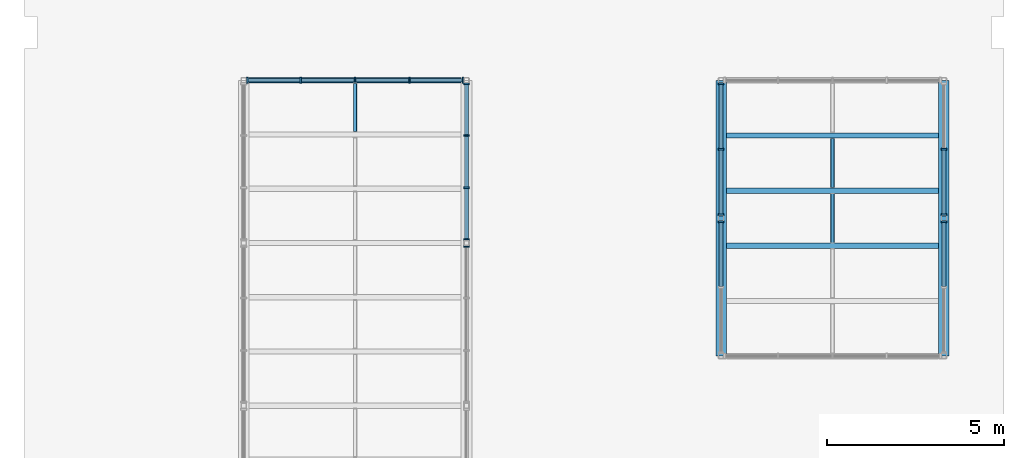
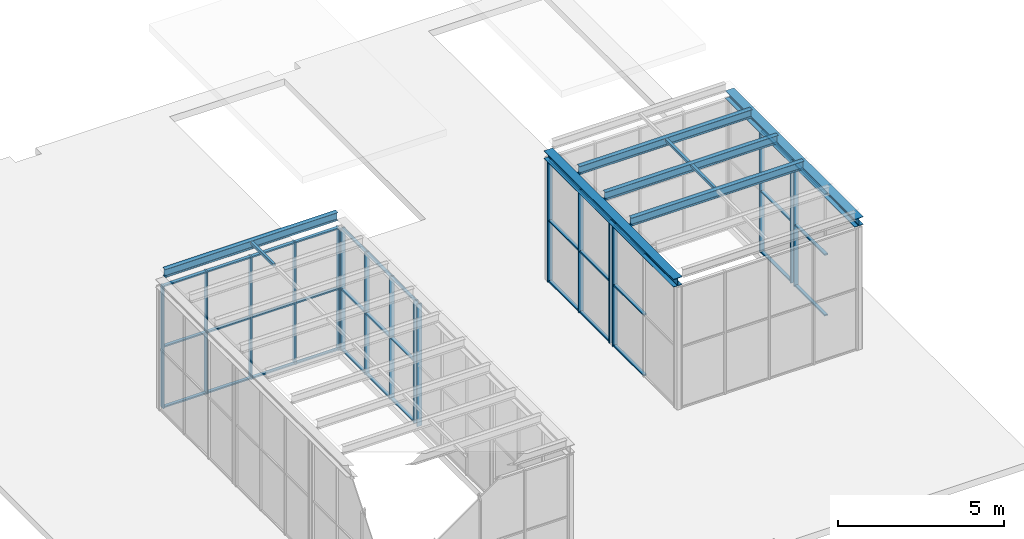
# One storey, part 8 of 25: 56 members, 6 beams, 7 elements without a shape of their own.
"""IFC4 building model written with IfcOpenShell, lengths in metres."""

from ifc_helpers import new_model, si_unit, direction, frame, origin, origin_2d, place, context, subcontext, project, spatial, rectangle, hollow_rectangle, i_section, extrude, material, layer, layer_set, material_profile, profile_set, type_object, element, aggregate, save


model = new_model("IFC4")

# Units and contexts
model_context = context("Model", 3, precision=1e-05, world=origin(), true_north=direction((0.0, 1.0)))
body_context = subcontext(model_context, "Body", "Model", "MODEL_VIEW")
ifc_project = project(units=[si_unit("LENGTHUNIT", "METRE"), si_unit("AREAUNIT", "SQUARE_METRE"), si_unit("VOLUMEUNIT", "CUBIC_METRE"), si_unit("PLANEANGLEUNIT", "RADIAN"), si_unit("MASSUNIT", "GRAM", prefix="KILO")], contexts=[model_context])

# Site, building, storey
site_placement = place(None, origin())
site = spatial("IfcSite", under=ifc_project, at=site_placement, CompositionType="ELEMENT")
building_placement = place(site_placement, origin())
building = spatial("IfcBuilding", under=site, at=building_placement, Name="Aurelan Courthouse", CompositionType="ELEMENT")
storey_placement = place(building_placement, frame((0.0, 0.0, 44.39990234375)))
storey = spatial("IfcBuildingStorey", under=building, at=storey_placement, Name="L08", CompositionType="ELEMENT", Elevation=44.39990234375)

# Beams
ifc_material_1 = material(Name="Steel S355", Category="steel")
ifc_material_profile_1 = material_profile(ifc_material_1, i_section(OverallWidth=0.300048828125, OverallDepth=0.2900390625, WebThickness=0.008544921875, FlangeThickness=0.013916015625, FilletRadius=0.027099609375, at=origin_2d()), Name="HEA 300")
ifc_profile_set_1 = profile_set([ifc_material_profile_1], Name="Steel S355")
beam_type_1 = type_object("IfcBeamType", Name="Lantern edge beam HEA 300", PredefinedType="BEAM", material=ifc_profile_set_1)
for number, where, z_axis, x_axis, name in (
    (1, (55.35009765625, 44.85009765625, 4.64501953125), (0.0, 1.0, 0.0), (-1.0, 0.0, 0.0), "Lantern edge beam LE-V22-01"),
    (2, (61.64990234375, 44.85009765625, 4.64501953125), (0.0, 1.0, 0.0), (-1.0, 0.0, 0.0), "Lantern edge beam LE-V22-02"),
):
    element("IfcBeam", number, at=place(storey_placement, frame(where, z_axis=z_axis, x_axis=x_axis)), inside=storey, type_object=beam_type_1, Name=name, PredefinedType="BEAM", context=body_context, shape_type="SweptSolid", body=[
        extrude(i_section(OverallWidth=0.300048828125, OverallDepth=0.2900390625, WebThickness=0.008544921875, FlangeThickness=0.013916015625, FilletRadius=0.027099609375, at=origin_2d()), origin(), (0.0, 0.0, 1.0), 7.7998046875),
    ])

# Curtain wall, member
ifc_material_2 = material(Name="Bronze-finished aluminium and glass", Category="aluminium")
ifc_layer_1 = layer(ifc_material_2, 0.14990234375)
ifc_layer_set_1 = layer_set([ifc_layer_1], Name="Bronze-finished aluminium and glass")
curtain_wall_type_1 = type_object("IfcCurtainWallType", Name="Lantern wall 4450 x 4500", PredefinedType="NOTDEFINED", material=ifc_layer_set_1)
curtain_wall_1_placement = place(storey_placement, origin())
curtain_wall_1 = element("IfcCurtainWall", 3, at=curtain_wall_1_placement, inside=storey, type_object=curtain_wall_type_1, Name="Curtain wall CW-L08-V2105", PredefinedType="NOTDEFINED")
ifc_material_3 = material(Name="Bronze-finished aluminium", Category="aluminium")
ifc_material_profile_2 = material_profile(ifc_material_3, rectangle(XDim=0.159912109375, YDim=0.050048828125, at=origin_2d()), Name="Lantern mullion 50 x 160")
ifc_profile_set_2 = profile_set([ifc_material_profile_2], Name="Bronze-finished aluminium")
member_type_1 = type_object("IfcMemberType", Name="Lantern mullion 50 x 160", PredefinedType="MULLION", material=ifc_profile_set_2)
member_1_placement = place(storey_placement, frame((48.14990234375, 47.949951171875, 0.0), z_axis=(0.0, 0.0, 1.0), x_axis=(-1.0, 0.0, 0.0)))
member_1 = element("IfcMember", 4, at=member_1_placement, type_object=member_type_1, Name="CW-L08-V2105 mullion 4", PredefinedType="MULLION", context=body_context, shape_type="SweptSolid", body=[
    extrude(rectangle(XDim=0.159912109375, YDim=0.050048828125, at=origin_2d()), origin(), (0.0, 0.0, 1.0), 4.5),
])
aggregate(curtain_wall_1, [member_1])

# Curtain wall, members
curtain_wall_2_placement = place(storey_placement, origin())
curtain_wall_2 = element("IfcCurtainWall", 5, at=curtain_wall_2_placement, inside=storey, type_object=curtain_wall_type_1, Name="Curtain wall CW-L08-V2107", PredefinedType="NOTDEFINED")
member_2_placement = place(storey_placement, frame((48.14990234375, 48.14990234375, 0.0), z_axis=(0.0, 0.0, 1.0), x_axis=(-1.0, 0.0, 0.0)))
member_2 = element("IfcMember", 6, at=member_2_placement, type_object=member_type_1, Name="CW-L08-V2107 mullion 1", PredefinedType="MULLION", context=body_context, shape_type="SweptSolid", body=[
    extrude(rectangle(XDim=0.159912109375, YDim=0.050048828125, at=origin_2d()), origin(), (0.0, 0.0, 1.0), 4.5),
])
member_3_placement = place(storey_placement, frame((48.14990234375, 49.6083984375, 0.0), z_axis=(0.0, 0.0, 1.0), x_axis=(-1.0, 0.0, 0.0)))
member_3 = element("IfcMember", 7, at=member_3_placement, type_object=member_type_1, Name="CW-L08-V2107 mullion 2", PredefinedType="MULLION", context=body_context, shape_type="SweptSolid", body=[
    extrude(rectangle(XDim=0.159912109375, YDim=0.050048828125, at=origin_2d()), origin(), (0.0, 0.0, 1.0), 4.5),
])
member_4_placement = place(storey_placement, frame((48.14990234375, 51.091552734375, 0.0), z_axis=(0.0, 0.0, 1.0), x_axis=(-1.0, 0.0, 0.0)))
member_4 = element("IfcMember", 8, at=member_4_placement, type_object=member_type_1, Name="CW-L08-V2107 mullion 3", PredefinedType="MULLION", context=body_context, shape_type="SweptSolid", body=[
    extrude(rectangle(XDim=0.159912109375, YDim=0.050048828125, at=origin_2d()), origin(), (0.0, 0.0, 1.0), 4.5),
])
member_5_placement = place(storey_placement, frame((48.14990234375, 52.550048828125, 0.0), z_axis=(0.0, 0.0, 1.0), x_axis=(-1.0, 0.0, 0.0)))
member_5 = element("IfcMember", 9, at=member_5_placement, type_object=member_type_1, Name="CW-L08-V2107 mullion 4", PredefinedType="MULLION", context=body_context, shape_type="SweptSolid", body=[
    extrude(rectangle(XDim=0.159912109375, YDim=0.050048828125, at=origin_2d()), origin(), (0.0, 0.0, 1.0), 4.5),
])

ifc_layer_2 = layer(ifc_material_2, 0.14990234375)
ifc_layer_set_2 = layer_set([ifc_layer_2], Name="Bronze-finished aluminium and glass")
curtain_wall_type_2 = type_object("IfcCurtainWallType", Name="Lantern wall 6150 x 4500", PredefinedType="NOTDEFINED", material=ifc_layer_set_2)
curtain_wall_3_placement = place(storey_placement, origin())
curtain_wall_3 = element("IfcCurtainWall", 10, at=curtain_wall_3_placement, inside=storey, type_object=curtain_wall_type_2, Name="Curtain wall CW-L08-V2108", PredefinedType="NOTDEFINED")
member_6_placement = place(storey_placement, frame((41.949951171875, 52.64990234375, 0.0), z_axis=(0.0, 0.0, 1.0), x_axis=(0.0, 1.0, 0.0)))
member_6 = element("IfcMember", 11, at=member_6_placement, type_object=member_type_1, Name="CW-L08-V2108 mullion 1", PredefinedType="MULLION", context=body_context, shape_type="SweptSolid", body=[
    extrude(rectangle(XDim=0.159912109375, YDim=0.050048828125, at=origin_2d()), origin(), (0.0, 0.0, 1.0), 4.5),
])
member_7_placement = place(storey_placement, frame((43.46240234375, 52.64990234375, 0.0), z_axis=(0.0, 0.0, 1.0), x_axis=(0.0, 1.0, 0.0)))
member_7 = element("IfcMember", 12, at=member_7_placement, type_object=member_type_1, Name="CW-L08-V2108 mullion 2", PredefinedType="MULLION", context=body_context, shape_type="SweptSolid", body=[
    extrude(rectangle(XDim=0.159912109375, YDim=0.050048828125, at=origin_2d()), origin(), (0.0, 0.0, 1.0), 4.5),
])
member_8_placement = place(storey_placement, frame((45.0, 52.64990234375, 0.0), z_axis=(0.0, 0.0, 1.0), x_axis=(0.0, 1.0, 0.0)))
member_8 = element("IfcMember", 13, at=member_8_placement, type_object=member_type_1, Name="CW-L08-V2108 mullion 3", PredefinedType="MULLION", context=body_context, shape_type="SweptSolid", body=[
    extrude(rectangle(XDim=0.159912109375, YDim=0.050048828125, at=origin_2d()), origin(), (0.0, 0.0, 1.0), 4.5),
])
member_9_placement = place(storey_placement, frame((46.53759765625, 52.64990234375, 0.0), z_axis=(0.0, 0.0, 1.0), x_axis=(0.0, 1.0, 0.0)))
member_9 = element("IfcMember", 14, at=member_9_placement, type_object=member_type_1, Name="CW-L08-V2108 mullion 4", PredefinedType="MULLION", context=body_context, shape_type="SweptSolid", body=[
    extrude(rectangle(XDim=0.159912109375, YDim=0.050048828125, at=origin_2d()), origin(), (0.0, 0.0, 1.0), 4.5),
])
member_10_placement = place(storey_placement, frame((48.050048828125, 52.64990234375, 0.0), z_axis=(0.0, 0.0, 1.0), x_axis=(0.0, 1.0, 0.0)))
member_10 = element("IfcMember", 15, at=member_10_placement, type_object=member_type_1, Name="CW-L08-V2108 mullion 5", PredefinedType="MULLION", context=body_context, shape_type="SweptSolid", body=[
    extrude(rectangle(XDim=0.159912109375, YDim=0.050048828125, at=origin_2d()), origin(), (0.0, 0.0, 1.0), 4.5),
])

# Curtain wall, member
ifc_layer_3 = layer(ifc_material_2, 0.14990234375)
ifc_layer_set_3 = layer_set([ifc_layer_3], Name="Bronze-finished aluminium and glass")
curtain_wall_type_3 = type_object("IfcCurtainWallType", Name="Lantern wall 3750 x 4500", PredefinedType="NOTDEFINED", material=ifc_layer_set_3)
curtain_wall_4_placement = place(storey_placement, origin())
curtain_wall_4 = element("IfcCurtainWall", 16, at=curtain_wall_4_placement, inside=storey, type_object=curtain_wall_type_3, Name="Curtain wall CW-L08-V2202", PredefinedType="NOTDEFINED")
member_11_placement = place(storey_placement, frame((55.35009765625, 48.64990234375, 0.0), z_axis=(0.0, 0.0, 1.0), x_axis=(-1.0, 0.0, 0.0)))
member_11 = element("IfcMember", 17, at=member_11_placement, type_object=member_type_1, Name="CW-L08-V2202 mullion 3", PredefinedType="MULLION", context=body_context, shape_type="SweptSolid", body=[
    extrude(rectangle(XDim=0.159912109375, YDim=0.050048828125, at=origin_2d()), origin(), (0.0, 0.0, 1.0), 4.5),
])

curtain_wall_5_placement = place(storey_placement, origin())
curtain_wall_5 = element("IfcCurtainWall", 18, at=curtain_wall_5_placement, inside=storey, type_object=curtain_wall_type_3, Name="Curtain wall CW-L08-V2203", PredefinedType="NOTDEFINED")
member_12_placement = place(storey_placement, frame((61.64990234375, 48.64990234375, 0.0), z_axis=(0.0, 0.0, 1.0), x_axis=(-1.0, 0.0, 0.0)))
member_12 = element("IfcMember", 19, at=member_12_placement, type_object=member_type_1, Name="CW-L08-V2203 mullion 3", PredefinedType="MULLION", context=body_context, shape_type="SweptSolid", body=[
    extrude(rectangle(XDim=0.159912109375, YDim=0.050048828125, at=origin_2d()), origin(), (0.0, 0.0, 1.0), 4.5),
])

# Curtain wall, members
curtain_wall_6_placement = place(storey_placement, origin())
curtain_wall_6 = element("IfcCurtainWall", 20, at=curtain_wall_6_placement, inside=storey, type_object=curtain_wall_type_3, Name="Curtain wall CW-L08-V2204", PredefinedType="NOTDEFINED")
member_13_placement = place(storey_placement, frame((55.35009765625, 48.85009765625, 0.0), z_axis=(0.0, 0.0, 1.0), x_axis=(-1.0, 0.0, 0.0)))
member_13 = element("IfcMember", 21, at=member_13_placement, type_object=member_type_1, Name="CW-L08-V2204 mullion 1", PredefinedType="MULLION", context=body_context, shape_type="SweptSolid", body=[
    extrude(rectangle(XDim=0.159912109375, YDim=0.050048828125, at=origin_2d()), origin(), (0.0, 0.0, 1.0), 4.5),
])
member_14_placement = place(storey_placement, frame((55.35009765625, 50.699951171875, 0.0), z_axis=(0.0, 0.0, 1.0), x_axis=(-1.0, 0.0, 0.0)))
member_14 = element("IfcMember", 22, at=member_14_placement, type_object=member_type_1, Name="CW-L08-V2204 mullion 2", PredefinedType="MULLION", context=body_context, shape_type="SweptSolid", body=[
    extrude(rectangle(XDim=0.159912109375, YDim=0.050048828125, at=origin_2d()), origin(), (0.0, 0.0, 1.0), 4.5),
])
member_15_placement = place(storey_placement, frame((55.35009765625, 52.550048828125, 0.0), z_axis=(0.0, 0.0, 1.0), x_axis=(-1.0, 0.0, 0.0)))
member_15 = element("IfcMember", 23, at=member_15_placement, type_object=member_type_1, Name="CW-L08-V2204 mullion 3", PredefinedType="MULLION", context=body_context, shape_type="SweptSolid", body=[
    extrude(rectangle(XDim=0.159912109375, YDim=0.050048828125, at=origin_2d()), origin(), (0.0, 0.0, 1.0), 4.5),
])

curtain_wall_7_placement = place(storey_placement, origin())
curtain_wall_7 = element("IfcCurtainWall", 24, at=curtain_wall_7_placement, inside=storey, type_object=curtain_wall_type_3, Name="Curtain wall CW-L08-V2205", PredefinedType="NOTDEFINED")
member_16_placement = place(storey_placement, frame((61.64990234375, 48.85009765625, 0.0), z_axis=(0.0, 0.0, 1.0), x_axis=(-1.0, 0.0, 0.0)))
member_16 = element("IfcMember", 25, at=member_16_placement, type_object=member_type_1, Name="CW-L08-V2205 mullion 1", PredefinedType="MULLION", context=body_context, shape_type="SweptSolid", body=[
    extrude(rectangle(XDim=0.159912109375, YDim=0.050048828125, at=origin_2d()), origin(), (0.0, 0.0, 1.0), 4.5),
])
member_17_placement = place(storey_placement, frame((61.64990234375, 50.699951171875, 0.0), z_axis=(0.0, 0.0, 1.0), x_axis=(-1.0, 0.0, 0.0)))
member_17 = element("IfcMember", 26, at=member_17_placement, type_object=member_type_1, Name="CW-L08-V2205 mullion 2", PredefinedType="MULLION", context=body_context, shape_type="SweptSolid", body=[
    extrude(rectangle(XDim=0.159912109375, YDim=0.050048828125, at=origin_2d()), origin(), (0.0, 0.0, 1.0), 4.5),
])

# Members
ifc_material_profile_3 = material_profile(ifc_material_1, hollow_rectangle(XDim=0.10009765625, YDim=0.10009765625, WallThickness=0.006103515625, InnerFilletRadius=0.006103515625, OuterFilletRadius=0.011962890625, at=origin_2d()), Name="SHS 100x100x6")
ifc_profile_set_3 = profile_set([ifc_material_profile_3], Name="Steel S355")
member_type_2 = type_object("IfcMemberType", Name="Lantern purlin SHS 100x100x6", PredefinedType="PURLIN", material=ifc_profile_set_3)
member_18_placement = place(storey_placement, frame((45.0, 51.20166015625, 5.0400390625), z_axis=(0.0, 1.0, 0.0), x_axis=(-1.0, 0.0, 0.0)))
element("IfcMember", 27, at=member_18_placement, inside=storey, type_object=member_type_2, Name="Lantern purlin LP-V21-0901", PredefinedType="PURLIN", context=body_context, shape_type="SweptSolid", body=[
    extrude(hollow_rectangle(XDim=0.10009765625, YDim=0.10009765625, WallThickness=0.006103515625, InnerFilletRadius=0.006103515625, OuterFilletRadius=0.011962890625, at=origin_2d()), origin(), (0.0, 0.0, 1.0), 1.36328125),
])
member_19_placement = place(storey_placement, frame((58.5, 48.054931640625, 5.0400390625), z_axis=(0.0, 1.0, 0.0), x_axis=(-1.0, 0.0, 0.0)))
element("IfcMember", 28, at=member_19_placement, inside=storey, type_object=member_type_2, Name="Lantern purlin LP-V22-0301", PredefinedType="PURLIN", context=body_context, shape_type="SweptSolid", body=[
    extrude(hollow_rectangle(XDim=0.10009765625, YDim=0.10009765625, WallThickness=0.006103515625, InnerFilletRadius=0.006103515625, OuterFilletRadius=0.011962890625, at=origin_2d()), origin(), (0.0, 0.0, 1.0), 1.39013671875),
])
member_20_placement = place(storey_placement, frame((58.5, 49.614990234375, 5.0400390625), z_axis=(0.0, 1.0, 0.0), x_axis=(-1.0, 0.0, 0.0)))
element("IfcMember", 29, at=member_20_placement, inside=storey, type_object=member_type_2, Name="Lantern purlin LP-V22-0401", PredefinedType="PURLIN", context=body_context, shape_type="SweptSolid", body=[
    extrude(hollow_rectangle(XDim=0.10009765625, YDim=0.10009765625, WallThickness=0.006103515625, InnerFilletRadius=0.006103515625, OuterFilletRadius=0.011962890625, at=origin_2d()), origin(), (0.0, 0.0, 1.0), 1.389892578125),
])

# Beams
ifc_material_profile_4 = material_profile(ifc_material_1, i_section(OverallWidth=0.14990234375, OverallDepth=0.300048828125, WebThickness=0.007080078125, FlangeThickness=0.0107421875, FilletRadius=0.014892578125, at=origin_2d()), Name="IPE 300")
ifc_profile_set_4 = profile_set([ifc_material_profile_4], Name="Steel S355")
beam_type_2 = type_object("IfcBeamType", Name="Lantern roof beam IPE 300", PredefinedType="BEAM", material=ifc_profile_set_4)
for number, where, z_axis, x_axis, name in (
    (30, (42.0, 52.64990234375, 4.940185546875), (1.0, 0.0, 0.0), (0.0, 1.0, 0.0), "Lantern roof beam LR-V21-10"),
    (31, (55.5, 47.969970703125, 4.940185546875), (1.0, 0.0, 0.0), (0.0, 1.0, 0.0), "Lantern roof beam LR-V22-03"),
    (32, (55.5, 49.530029296875, 4.940185546875), (1.0, 0.0, 0.0), (0.0, 1.0, 0.0), "Lantern roof beam LR-V22-04"),
    (33, (55.5, 51.090087890625, 4.940185546875), (1.0, 0.0, 0.0), (0.0, 1.0, 0.0), "Lantern roof beam LR-V22-05"),
):
    element("IfcBeam", number, at=place(storey_placement, frame(where, z_axis=z_axis, x_axis=x_axis)), inside=storey, type_object=beam_type_2, Name=name, PredefinedType="BEAM", context=body_context, shape_type="SweptSolid", body=[
        extrude(i_section(OverallWidth=0.14990234375, OverallDepth=0.300048828125, WebThickness=0.007080078125, FlangeThickness=0.0107421875, FilletRadius=0.014892578125, at=origin_2d()), origin(), (0.0, 0.0, 1.0), 6.0),
    ])

# Member
ifc_material_profile_5 = material_profile(ifc_material_3, rectangle(XDim=0.110107421875, YDim=0.050048828125, at=origin_2d()), Name="Lantern transom 50 x 110")
ifc_profile_set_5 = profile_set([ifc_material_profile_5], Name="Bronze-finished aluminium")
member_type_3 = type_object("IfcMemberType", Name="Lantern transom 50 x 110", PredefinedType="USERDEFINED", material=ifc_profile_set_5)
member_21_placement = place(storey_placement, frame((48.14990234375, 48.175048828125, 0.025146484375), z_axis=(0.0, 1.0, 0.0), x_axis=(-1.0, 0.0, 0.0)))
member_21 = element("IfcMember", 34, at=member_21_placement, type_object=member_type_3, Name="CW-L08-V2107 transom 1.1", ObjectType="TRANSOM", PredefinedType="USERDEFINED", context=body_context, shape_type="SweptSolid", body=[
    extrude(rectangle(XDim=0.110107421875, YDim=0.050048828125, at=origin_2d()), origin(), (0.0, 0.0, 1.0), 1.408203125),
])

member_22_placement = place(storey_placement, frame((48.14990234375, 48.175048828125, 2.25), z_axis=(0.0, 1.0, 0.0), x_axis=(-1.0, 0.0, 0.0)))
member_22 = element("IfcMember", 35, at=member_22_placement, type_object=member_type_3, Name="CW-L08-V2107 transom 1.2", ObjectType="TRANSOM", PredefinedType="USERDEFINED", context=body_context, shape_type="SweptSolid", body=[
    extrude(rectangle(XDim=0.110107421875, YDim=0.050048828125, at=origin_2d()), origin(), (0.0, 0.0, 1.0), 1.408203125),
])

member_23_placement = place(storey_placement, frame((48.14990234375, 48.175048828125, 4.47509765625), z_axis=(0.0, 1.0, 0.0), x_axis=(-1.0, 0.0, 0.0)))
member_23 = element("IfcMember", 36, at=member_23_placement, type_object=member_type_3, Name="CW-L08-V2107 transom 1.3", ObjectType="TRANSOM", PredefinedType="USERDEFINED", context=body_context, shape_type="SweptSolid", body=[
    extrude(rectangle(XDim=0.110107421875, YDim=0.050048828125, at=origin_2d()), origin(), (0.0, 0.0, 1.0), 1.408203125),
])

member_24_placement = place(storey_placement, frame((48.14990234375, 49.63330078125, 0.025146484375), z_axis=(0.0, 1.0, 0.0), x_axis=(-1.0, 0.0, 0.0)))
member_24 = element("IfcMember", 37, at=member_24_placement, type_object=member_type_3, Name="CW-L08-V2107 transom 2.1", ObjectType="TRANSOM", PredefinedType="USERDEFINED", context=body_context, shape_type="SweptSolid", body=[
    extrude(rectangle(XDim=0.110107421875, YDim=0.050048828125, at=origin_2d()), origin(), (0.0, 0.0, 1.0), 1.433349609375),
])

member_25_placement = place(storey_placement, frame((48.14990234375, 49.63330078125, 2.25), z_axis=(0.0, 1.0, 0.0), x_axis=(-1.0, 0.0, 0.0)))
member_25 = element("IfcMember", 38, at=member_25_placement, type_object=member_type_3, Name="CW-L08-V2107 transom 2.2", ObjectType="TRANSOM", PredefinedType="USERDEFINED", context=body_context, shape_type="SweptSolid", body=[
    extrude(rectangle(XDim=0.110107421875, YDim=0.050048828125, at=origin_2d()), origin(), (0.0, 0.0, 1.0), 1.433349609375),
])

member_26_placement = place(storey_placement, frame((48.14990234375, 49.63330078125, 4.47509765625), z_axis=(0.0, 1.0, 0.0), x_axis=(-1.0, 0.0, 0.0)))
member_26 = element("IfcMember", 39, at=member_26_placement, type_object=member_type_3, Name="CW-L08-V2107 transom 2.3", ObjectType="TRANSOM", PredefinedType="USERDEFINED", context=body_context, shape_type="SweptSolid", body=[
    extrude(rectangle(XDim=0.110107421875, YDim=0.050048828125, at=origin_2d()), origin(), (0.0, 0.0, 1.0), 1.433349609375),
])

member_27_placement = place(storey_placement, frame((48.14990234375, 51.11669921875, 0.025146484375), z_axis=(0.0, 1.0, 0.0), x_axis=(-1.0, 0.0, 0.0)))
member_27 = element("IfcMember", 40, at=member_27_placement, type_object=member_type_3, Name="CW-L08-V2107 transom 3.1", ObjectType="TRANSOM", PredefinedType="USERDEFINED", context=body_context, shape_type="SweptSolid", body=[
    extrude(rectangle(XDim=0.110107421875, YDim=0.050048828125, at=origin_2d()), origin(), (0.0, 0.0, 1.0), 1.408203125),
])

member_28_placement = place(storey_placement, frame((48.14990234375, 51.11669921875, 2.25), z_axis=(0.0, 1.0, 0.0), x_axis=(-1.0, 0.0, 0.0)))
member_28 = element("IfcMember", 41, at=member_28_placement, type_object=member_type_3, Name="CW-L08-V2107 transom 3.2", ObjectType="TRANSOM", PredefinedType="USERDEFINED", context=body_context, shape_type="SweptSolid", body=[
    extrude(rectangle(XDim=0.110107421875, YDim=0.050048828125, at=origin_2d()), origin(), (0.0, 0.0, 1.0), 1.408203125),
])

member_29_placement = place(storey_placement, frame((48.14990234375, 51.11669921875, 4.47509765625), z_axis=(0.0, 1.0, 0.0), x_axis=(-1.0, 0.0, 0.0)))
member_29 = element("IfcMember", 42, at=member_29_placement, type_object=member_type_3, Name="CW-L08-V2107 transom 3.3", ObjectType="TRANSOM", PredefinedType="USERDEFINED", context=body_context, shape_type="SweptSolid", body=[
    extrude(rectangle(XDim=0.110107421875, YDim=0.050048828125, at=origin_2d()), origin(), (0.0, 0.0, 1.0), 1.408203125),
])

aggregate(curtain_wall_2, [member_2, member_3, member_4, member_5, member_21, member_22, member_23, member_24, member_25, member_26, member_27, member_28, member_29])

member_30_placement = place(storey_placement, frame((41.97509765625, 52.64990234375, 0.025146484375), z_axis=(1.0, 0.0, 0.0), x_axis=(0.0, 1.0, 0.0)))
member_30 = element("IfcMember", 43, at=member_30_placement, type_object=member_type_3, Name="CW-L08-V2108 transom 1.1", ObjectType="TRANSOM", PredefinedType="USERDEFINED", context=body_context, shape_type="SweptSolid", body=[
    extrude(rectangle(XDim=0.110107421875, YDim=0.050048828125, at=origin_2d()), origin(), (0.0, 0.0, 1.0), 1.46240234375),
])

member_31_placement = place(storey_placement, frame((41.97509765625, 52.64990234375, 2.25), z_axis=(1.0, 0.0, 0.0), x_axis=(0.0, 1.0, 0.0)))
member_31 = element("IfcMember", 44, at=member_31_placement, type_object=member_type_3, Name="CW-L08-V2108 transom 1.2", ObjectType="TRANSOM", PredefinedType="USERDEFINED", context=body_context, shape_type="SweptSolid", body=[
    extrude(rectangle(XDim=0.110107421875, YDim=0.050048828125, at=origin_2d()), origin(), (0.0, 0.0, 1.0), 1.46240234375),
])

member_32_placement = place(storey_placement, frame((41.97509765625, 52.64990234375, 4.47509765625), z_axis=(1.0, 0.0, 0.0), x_axis=(0.0, 1.0, 0.0)))
member_32 = element("IfcMember", 45, at=member_32_placement, type_object=member_type_3, Name="CW-L08-V2108 transom 1.3", ObjectType="TRANSOM", PredefinedType="USERDEFINED", context=body_context, shape_type="SweptSolid", body=[
    extrude(rectangle(XDim=0.110107421875, YDim=0.050048828125, at=origin_2d()), origin(), (0.0, 0.0, 1.0), 1.46240234375),
])

member_33_placement = place(storey_placement, frame((43.487548828125, 52.64990234375, 0.025146484375), z_axis=(1.0, 0.0, 0.0), x_axis=(0.0, 1.0, 0.0)))
member_33 = element("IfcMember", 46, at=member_33_placement, type_object=member_type_3, Name="CW-L08-V2108 transom 2.1", ObjectType="TRANSOM", PredefinedType="USERDEFINED", context=body_context, shape_type="SweptSolid", body=[
    extrude(rectangle(XDim=0.110107421875, YDim=0.050048828125, at=origin_2d()), origin(), (0.0, 0.0, 1.0), 1.487548828125),
])

member_34_placement = place(storey_placement, frame((43.487548828125, 52.64990234375, 2.25), z_axis=(1.0, 0.0, 0.0), x_axis=(0.0, 1.0, 0.0)))
member_34 = element("IfcMember", 47, at=member_34_placement, type_object=member_type_3, Name="CW-L08-V2108 transom 2.2", ObjectType="TRANSOM", PredefinedType="USERDEFINED", context=body_context, shape_type="SweptSolid", body=[
    extrude(rectangle(XDim=0.110107421875, YDim=0.050048828125, at=origin_2d()), origin(), (0.0, 0.0, 1.0), 1.487548828125),
])

member_35_placement = place(storey_placement, frame((43.487548828125, 52.64990234375, 4.47509765625), z_axis=(1.0, 0.0, 0.0), x_axis=(0.0, 1.0, 0.0)))
member_35 = element("IfcMember", 48, at=member_35_placement, type_object=member_type_3, Name="CW-L08-V2108 transom 2.3", ObjectType="TRANSOM", PredefinedType="USERDEFINED", context=body_context, shape_type="SweptSolid", body=[
    extrude(rectangle(XDim=0.110107421875, YDim=0.050048828125, at=origin_2d()), origin(), (0.0, 0.0, 1.0), 1.487548828125),
])

member_36_placement = place(storey_placement, frame((45.02490234375, 52.64990234375, 0.025146484375), z_axis=(1.0, 0.0, 0.0), x_axis=(0.0, 1.0, 0.0)))
member_36 = element("IfcMember", 49, at=member_36_placement, type_object=member_type_3, Name="CW-L08-V2108 transom 3.1", ObjectType="TRANSOM", PredefinedType="USERDEFINED", context=body_context, shape_type="SweptSolid", body=[
    extrude(rectangle(XDim=0.110107421875, YDim=0.050048828125, at=origin_2d()), origin(), (0.0, 0.0, 1.0), 1.487548828125),
])

member_37_placement = place(storey_placement, frame((45.02490234375, 52.64990234375, 2.25), z_axis=(1.0, 0.0, 0.0), x_axis=(0.0, 1.0, 0.0)))
member_37 = element("IfcMember", 50, at=member_37_placement, type_object=member_type_3, Name="CW-L08-V2108 transom 3.2", ObjectType="TRANSOM", PredefinedType="USERDEFINED", context=body_context, shape_type="SweptSolid", body=[
    extrude(rectangle(XDim=0.110107421875, YDim=0.050048828125, at=origin_2d()), origin(), (0.0, 0.0, 1.0), 1.487548828125),
])

member_38_placement = place(storey_placement, frame((45.02490234375, 52.64990234375, 4.47509765625), z_axis=(1.0, 0.0, 0.0), x_axis=(0.0, 1.0, 0.0)))
member_38 = element("IfcMember", 51, at=member_38_placement, type_object=member_type_3, Name="CW-L08-V2108 transom 3.3", ObjectType="TRANSOM", PredefinedType="USERDEFINED", context=body_context, shape_type="SweptSolid", body=[
    extrude(rectangle(XDim=0.110107421875, YDim=0.050048828125, at=origin_2d()), origin(), (0.0, 0.0, 1.0), 1.487548828125),
])

member_39_placement = place(storey_placement, frame((46.5625, 52.64990234375, 0.025146484375), z_axis=(1.0, 0.0, 0.0), x_axis=(0.0, 1.0, 0.0)))
member_39 = element("IfcMember", 52, at=member_39_placement, type_object=member_type_3, Name="CW-L08-V2108 transom 4.1", ObjectType="TRANSOM", PredefinedType="USERDEFINED", context=body_context, shape_type="SweptSolid", body=[
    extrude(rectangle(XDim=0.110107421875, YDim=0.050048828125, at=origin_2d()), origin(), (0.0, 0.0, 1.0), 1.46240234375),
])

member_40_placement = place(storey_placement, frame((46.5625, 52.64990234375, 2.25), z_axis=(1.0, 0.0, 0.0), x_axis=(0.0, 1.0, 0.0)))
member_40 = element("IfcMember", 53, at=member_40_placement, type_object=member_type_3, Name="CW-L08-V2108 transom 4.2", ObjectType="TRANSOM", PredefinedType="USERDEFINED", context=body_context, shape_type="SweptSolid", body=[
    extrude(rectangle(XDim=0.110107421875, YDim=0.050048828125, at=origin_2d()), origin(), (0.0, 0.0, 1.0), 1.46240234375),
])

member_41_placement = place(storey_placement, frame((46.5625, 52.64990234375, 4.47509765625), z_axis=(1.0, 0.0, 0.0), x_axis=(0.0, 1.0, 0.0)))
member_41 = element("IfcMember", 54, at=member_41_placement, type_object=member_type_3, Name="CW-L08-V2108 transom 4.3", ObjectType="TRANSOM", PredefinedType="USERDEFINED", context=body_context, shape_type="SweptSolid", body=[
    extrude(rectangle(XDim=0.110107421875, YDim=0.050048828125, at=origin_2d()), origin(), (0.0, 0.0, 1.0), 1.46240234375),
])

aggregate(curtain_wall_3, [member_6, member_7, member_8, member_9, member_10, member_30, member_31, member_32, member_33, member_34, member_35, member_36, member_37, member_38, member_39, member_40, member_41])

member_42_placement = place(storey_placement, frame((55.35009765625, 46.824951171875, 0.025146484375), z_axis=(0.0, 1.0, 0.0), x_axis=(-1.0, 0.0, 0.0)))
member_42 = element("IfcMember", 55, at=member_42_placement, type_object=member_type_3, Name="CW-L08-V2202 transom 2.1", ObjectType="TRANSOM", PredefinedType="USERDEFINED", context=body_context, shape_type="SweptSolid", body=[
    extrude(rectangle(XDim=0.110107421875, YDim=0.050048828125, at=origin_2d()), origin(), (0.0, 0.0, 1.0), 1.800048828125),
])

member_43_placement = place(storey_placement, frame((55.35009765625, 46.824951171875, 2.25), z_axis=(0.0, 1.0, 0.0), x_axis=(-1.0, 0.0, 0.0)))
member_43 = element("IfcMember", 56, at=member_43_placement, type_object=member_type_3, Name="CW-L08-V2202 transom 2.2", ObjectType="TRANSOM", PredefinedType="USERDEFINED", context=body_context, shape_type="SweptSolid", body=[
    extrude(rectangle(XDim=0.110107421875, YDim=0.050048828125, at=origin_2d()), origin(), (0.0, 0.0, 1.0), 1.800048828125),
])

member_44_placement = place(storey_placement, frame((55.35009765625, 46.824951171875, 4.47509765625), z_axis=(0.0, 1.0, 0.0), x_axis=(-1.0, 0.0, 0.0)))
member_44 = element("IfcMember", 57, at=member_44_placement, type_object=member_type_3, Name="CW-L08-V2202 transom 2.3", ObjectType="TRANSOM", PredefinedType="USERDEFINED", context=body_context, shape_type="SweptSolid", body=[
    extrude(rectangle(XDim=0.110107421875, YDim=0.050048828125, at=origin_2d()), origin(), (0.0, 0.0, 1.0), 1.800048828125),
])

aggregate(curtain_wall_4, [member_11, member_42, member_43, member_44])

member_45_placement = place(storey_placement, frame((61.64990234375, 46.824951171875, 0.025146484375), z_axis=(0.0, 1.0, 0.0), x_axis=(-1.0, 0.0, 0.0)))
member_45 = element("IfcMember", 58, at=member_45_placement, type_object=member_type_3, Name="CW-L08-V2203 transom 2.1", ObjectType="TRANSOM", PredefinedType="USERDEFINED", context=body_context, shape_type="SweptSolid", body=[
    extrude(rectangle(XDim=0.110107421875, YDim=0.050048828125, at=origin_2d()), origin(), (0.0, 0.0, 1.0), 1.800048828125),
])

member_46_placement = place(storey_placement, frame((61.64990234375, 46.824951171875, 2.25), z_axis=(0.0, 1.0, 0.0), x_axis=(-1.0, 0.0, 0.0)))
member_46 = element("IfcMember", 59, at=member_46_placement, type_object=member_type_3, Name="CW-L08-V2203 transom 2.2", ObjectType="TRANSOM", PredefinedType="USERDEFINED", context=body_context, shape_type="SweptSolid", body=[
    extrude(rectangle(XDim=0.110107421875, YDim=0.050048828125, at=origin_2d()), origin(), (0.0, 0.0, 1.0), 1.800048828125),
])

member_47_placement = place(storey_placement, frame((61.64990234375, 46.824951171875, 4.47509765625), z_axis=(0.0, 1.0, 0.0), x_axis=(-1.0, 0.0, 0.0)))
member_47 = element("IfcMember", 60, at=member_47_placement, type_object=member_type_3, Name="CW-L08-V2203 transom 2.3", ObjectType="TRANSOM", PredefinedType="USERDEFINED", context=body_context, shape_type="SweptSolid", body=[
    extrude(rectangle(XDim=0.110107421875, YDim=0.050048828125, at=origin_2d()), origin(), (0.0, 0.0, 1.0), 1.800048828125),
])

aggregate(curtain_wall_5, [member_12, member_45, member_46, member_47])

member_48_placement = place(storey_placement, frame((55.35009765625, 48.875, 0.025146484375), z_axis=(0.0, 1.0, 0.0), x_axis=(-1.0, 0.0, 0.0)))
member_48 = element("IfcMember", 61, at=member_48_placement, type_object=member_type_3, Name="CW-L08-V2204 transom 1.1", ObjectType="TRANSOM", PredefinedType="USERDEFINED", context=body_context, shape_type="SweptSolid", body=[
    extrude(rectangle(XDim=0.110107421875, YDim=0.050048828125, at=origin_2d()), origin(), (0.0, 0.0, 1.0), 1.800048828125),
])

member_49_placement = place(storey_placement, frame((55.35009765625, 48.875, 2.25), z_axis=(0.0, 1.0, 0.0), x_axis=(-1.0, 0.0, 0.0)))
member_49 = element("IfcMember", 62, at=member_49_placement, type_object=member_type_3, Name="CW-L08-V2204 transom 1.2", ObjectType="TRANSOM", PredefinedType="USERDEFINED", context=body_context, shape_type="SweptSolid", body=[
    extrude(rectangle(XDim=0.110107421875, YDim=0.050048828125, at=origin_2d()), origin(), (0.0, 0.0, 1.0), 1.800048828125),
])

member_50_placement = place(storey_placement, frame((55.35009765625, 48.875, 4.47509765625), z_axis=(0.0, 1.0, 0.0), x_axis=(-1.0, 0.0, 0.0)))
member_50 = element("IfcMember", 63, at=member_50_placement, type_object=member_type_3, Name="CW-L08-V2204 transom 1.3", ObjectType="TRANSOM", PredefinedType="USERDEFINED", context=body_context, shape_type="SweptSolid", body=[
    extrude(rectangle(XDim=0.110107421875, YDim=0.050048828125, at=origin_2d()), origin(), (0.0, 0.0, 1.0), 1.800048828125),
])

member_51_placement = place(storey_placement, frame((55.35009765625, 50.72509765625, 0.025146484375), z_axis=(0.0, 1.0, 0.0), x_axis=(-1.0, 0.0, 0.0)))
member_51 = element("IfcMember", 64, at=member_51_placement, type_object=member_type_3, Name="CW-L08-V2204 transom 2.1", ObjectType="TRANSOM", PredefinedType="USERDEFINED", context=body_context, shape_type="SweptSolid", body=[
    extrude(rectangle(XDim=0.110107421875, YDim=0.050048828125, at=origin_2d()), origin(), (0.0, 0.0, 1.0), 1.7998046875),
])

member_52_placement = place(storey_placement, frame((55.35009765625, 50.72509765625, 2.25), z_axis=(0.0, 1.0, 0.0), x_axis=(-1.0, 0.0, 0.0)))
member_52 = element("IfcMember", 65, at=member_52_placement, type_object=member_type_3, Name="CW-L08-V2204 transom 2.2", ObjectType="TRANSOM", PredefinedType="USERDEFINED", context=body_context, shape_type="SweptSolid", body=[
    extrude(rectangle(XDim=0.110107421875, YDim=0.050048828125, at=origin_2d()), origin(), (0.0, 0.0, 1.0), 1.7998046875),
])

member_53_placement = place(storey_placement, frame((55.35009765625, 50.72509765625, 4.47509765625), z_axis=(0.0, 1.0, 0.0), x_axis=(-1.0, 0.0, 0.0)))
member_53 = element("IfcMember", 66, at=member_53_placement, type_object=member_type_3, Name="CW-L08-V2204 transom 2.3", ObjectType="TRANSOM", PredefinedType="USERDEFINED", context=body_context, shape_type="SweptSolid", body=[
    extrude(rectangle(XDim=0.110107421875, YDim=0.050048828125, at=origin_2d()), origin(), (0.0, 0.0, 1.0), 1.7998046875),
])

aggregate(curtain_wall_6, [member_13, member_14, member_15, member_48, member_49, member_50, member_51, member_52, member_53])

member_54_placement = place(storey_placement, frame((61.64990234375, 48.875, 0.025146484375), z_axis=(0.0, 1.0, 0.0), x_axis=(-1.0, 0.0, 0.0)))
member_54 = element("IfcMember", 67, at=member_54_placement, type_object=member_type_3, Name="CW-L08-V2205 transom 1.1", ObjectType="TRANSOM", PredefinedType="USERDEFINED", context=body_context, shape_type="SweptSolid", body=[
    extrude(rectangle(XDim=0.110107421875, YDim=0.050048828125, at=origin_2d()), origin(), (0.0, 0.0, 1.0), 1.800048828125),
])

member_55_placement = place(storey_placement, frame((61.64990234375, 48.875, 2.25), z_axis=(0.0, 1.0, 0.0), x_axis=(-1.0, 0.0, 0.0)))
member_55 = element("IfcMember", 68, at=member_55_placement, type_object=member_type_3, Name="CW-L08-V2205 transom 1.2", ObjectType="TRANSOM", PredefinedType="USERDEFINED", context=body_context, shape_type="SweptSolid", body=[
    extrude(rectangle(XDim=0.110107421875, YDim=0.050048828125, at=origin_2d()), origin(), (0.0, 0.0, 1.0), 1.800048828125),
])

member_56_placement = place(storey_placement, frame((61.64990234375, 48.875, 4.47509765625), z_axis=(0.0, 1.0, 0.0), x_axis=(-1.0, 0.0, 0.0)))
member_56 = element("IfcMember", 69, at=member_56_placement, type_object=member_type_3, Name="CW-L08-V2205 transom 1.3", ObjectType="TRANSOM", PredefinedType="USERDEFINED", context=body_context, shape_type="SweptSolid", body=[
    extrude(rectangle(XDim=0.110107421875, YDim=0.050048828125, at=origin_2d()), origin(), (0.0, 0.0, 1.0), 1.800048828125),
])

aggregate(curtain_wall_7, [member_16, member_17, member_54, member_55, member_56])

save(model, "model.ifc")
